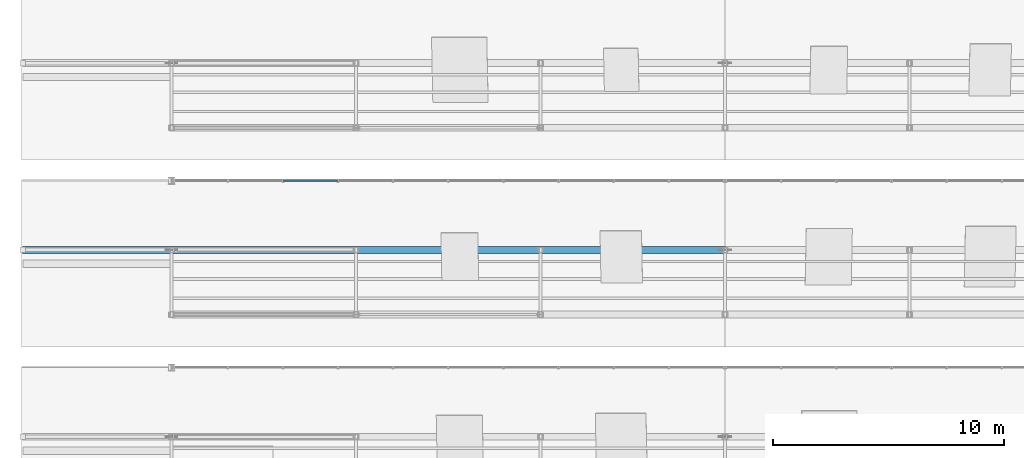
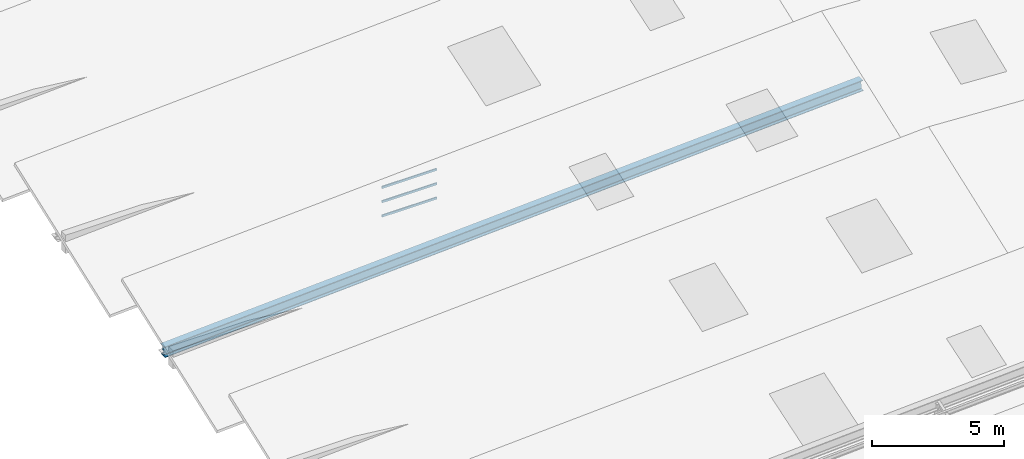
# One storey, part 30 of 141: 4 members, 1 element without a shape of its own.
"""IFC4 building model written with IfcOpenShell, lengths in metres."""

from ifc_helpers import new_model, si_unit, direction, frame, origin, origin_2d, place, context, subcontext, project, spatial, hollow_rectangle, i_section, extrude, material, material_profile, profile_set, type_object, element, aggregate, save


model = new_model("IFC4")

# Units and contexts
model_context = context("Model", 3, precision=1e-05, world=origin(), true_north=direction((0.0, 1.0)))
body_context = subcontext(model_context, "Body", "Model", "MODEL_VIEW")
ifc_project = project(units=[si_unit("LENGTHUNIT", "METRE"), si_unit("AREAUNIT", "SQUARE_METRE"), si_unit("VOLUMEUNIT", "CUBIC_METRE"), si_unit("PLANEANGLEUNIT", "RADIAN"), si_unit("MASSUNIT", "GRAM", prefix="KILO")], contexts=[model_context])

# Site, building, storey
site_placement = place(None, origin())
site = spatial("IfcSite", under=ifc_project, at=site_placement, CompositionType="ELEMENT")
building_placement = place(site_placement, origin())
building = spatial("IfcBuilding", under=site, at=building_placement, Name="Sundkrona Museum", CompositionType="ELEMENT")
storey_placement = place(building_placement, frame((0.0, 0.0, 34.0)))
storey = spatial("IfcBuildingStorey", under=building, at=storey_placement, Name="RF", CompositionType="ELEMENT", Elevation=34.0)

# Member
ifc_material_1 = material(Name="Steel S355J2", Category="steel")
ifc_material_profile_1 = material_profile(ifc_material_1, i_section(OverallWidth=0.300048828125, OverallDepth=0.5, WebThickness=0.014404296875, FlangeThickness=0.028076171875, FilletRadius=0.027099609375, at=origin_2d()), Name="HEB 500")
ifc_profile_set_1 = profile_set([ifc_material_profile_1], Name="Steel S355J2")
member_type_1 = type_object("IfcMemberType", Name="TC-HEB500", PredefinedType="CHORD", material=ifc_profile_set_1)
member_1_placement = place(storey_placement, frame((113.550048828125, 23.5, 3.03857421875), z_axis=(0.998540021616, 0.0, 0.054016897652), x_axis=(0.0, 1.0, 0.0)))
element("IfcMember", 1, at=member_1_placement, inside=storey, type_object=member_type_1, Name="RFS-1 Sawtooth Truss 4 West Sloped Top Chord", PredefinedType="CHORD", context=body_context, shape_type="SweptSolid", body=[
    extrude(i_section(OverallWidth=0.300048828125, OverallDepth=0.5, WebThickness=0.014404296875, FlangeThickness=0.028076171875, FilletRadius=0.027099609375, at=origin_2d()), origin(), (0.0, 0.0, 1.0), 30.494384765625),
])

# Curtain wall, members
ifc_material_2 = material(Name="Unitised Aluminium-Steel and Ceramic-Clad Curtain Walling", Category="steel")
curtain_wall_type = type_object("IfcCurtainWallType", Name="CW-SW-240x13", PredefinedType="NOTDEFINED", material=ifc_material_2)
curtain_wall_placement = place(storey_placement, origin())
curtain_wall = element("IfcCurtainWall", 2, at=curtain_wall_placement, inside=storey, type_object=curtain_wall_type, Name="Sawtooth Bay 4 West North-Light Clerestory", PredefinedType="NOTDEFINED")
ifc_material_3 = material(Name="Aluminium EN AW-6060 T66", Category="aluminium")
ifc_material_profile_2 = material_profile(ifc_material_3, hollow_rectangle(XDim=0.050048828125, YDim=0.10009765625, WallThickness=0.0048828125, at=origin_2d()), Name="RHS 100x50x5.0")
ifc_profile_set_2 = profile_set([ifc_material_profile_2], Name="Aluminium EN AW-6060 T66")
member_type_2 = type_object("IfcMemberType", Name="TR-100", PredefinedType="USERDEFINED", material=ifc_profile_set_2)
member_2_placement = place(storey_placement, frame((124.830078125, 26.5, 3.472900390625), z_axis=(1.0, 0.0, 0.0), x_axis=(0.0, 1.0, 0.0)))
member_2 = element("IfcMember", 3, at=member_2_placement, type_object=member_type_2, Name="CW-RF-SAW-04W Transom 07", ObjectType="TRANSOM", PredefinedType="USERDEFINED", context=body_context, shape_type="SweptSolid", body=[
    extrude(hollow_rectangle(XDim=0.050048828125, YDim=0.10009765625, WallThickness=0.0048828125, at=origin_2d()), origin(), (0.0, 0.0, 1.0), 2.389892578125),
])
member_3_placement = place(storey_placement, frame((124.830078125, 26.5, 4.133056640625), z_axis=(1.0, 0.0, 0.0), x_axis=(0.0, 1.0, 0.0)))
member_3 = element("IfcMember", 4, at=member_3_placement, type_object=member_type_2, Name="CW-RF-SAW-04W Transom 08", ObjectType="TRANSOM", PredefinedType="USERDEFINED", context=body_context, shape_type="SweptSolid", body=[
    extrude(hollow_rectangle(XDim=0.050048828125, YDim=0.10009765625, WallThickness=0.0048828125, at=origin_2d()), origin(), (0.0, 0.0, 1.0), 2.389892578125),
])
member_4_placement = place(storey_placement, frame((124.830078125, 26.5, 4.79296875), z_axis=(1.0, 0.0, 0.0), x_axis=(0.0, 1.0, 0.0)))
member_4 = element("IfcMember", 5, at=member_4_placement, type_object=member_type_2, Name="CW-RF-SAW-04W Transom 09", ObjectType="TRANSOM", PredefinedType="USERDEFINED", context=body_context, shape_type="SweptSolid", body=[
    extrude(hollow_rectangle(XDim=0.050048828125, YDim=0.10009765625, WallThickness=0.0048828125, at=origin_2d()), origin(), (0.0, 0.0, 1.0), 2.389892578125),
])
aggregate(curtain_wall, [member_2, member_3, member_4])

save(model, "model.ifc")
